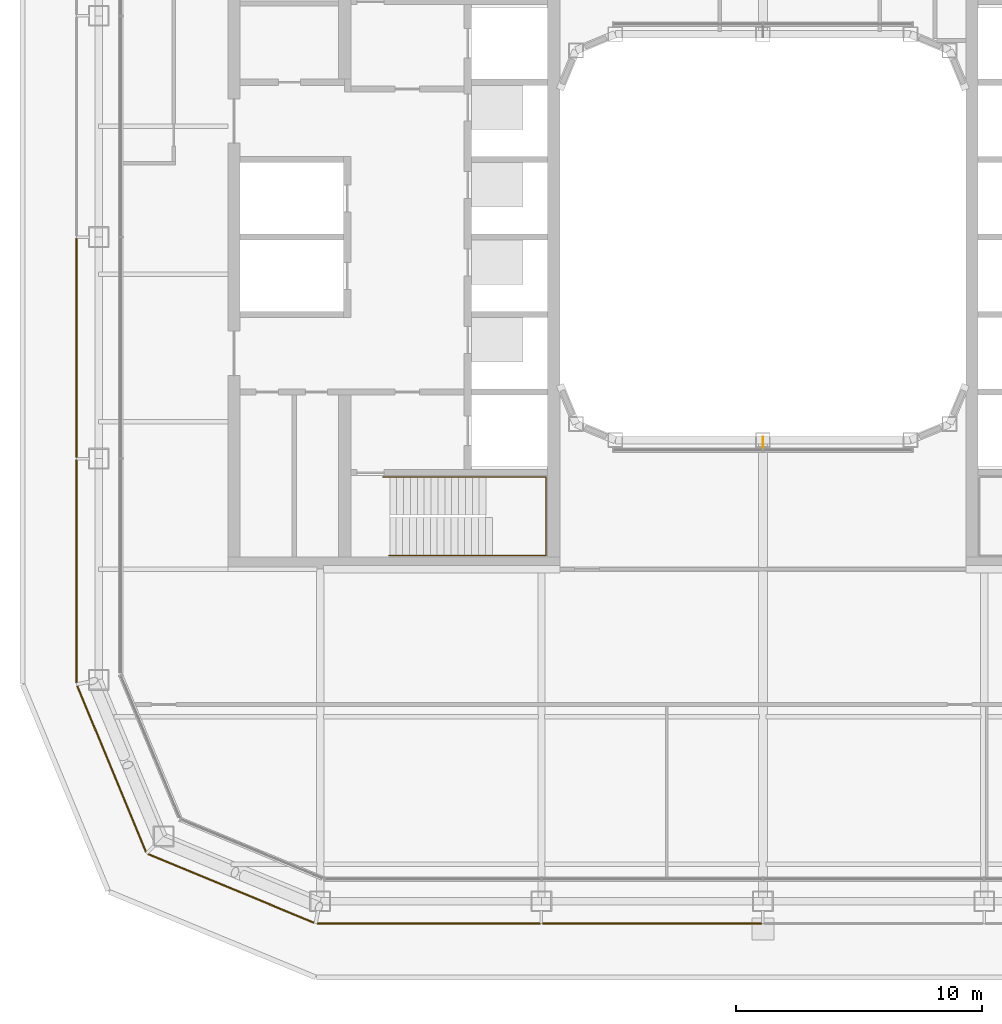
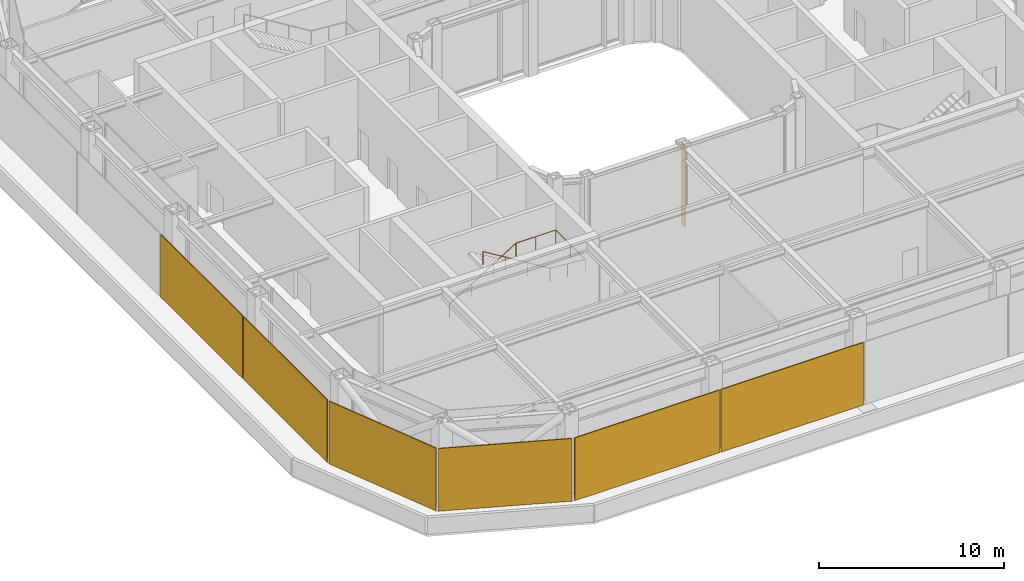
# One storey, part 15 of 19: 6 coverings, 1 railing, 1 shading device.
"""IFC4 building model written with IfcOpenShell, lengths in metres."""

from ifc_helpers import new_model, si_unit, direction, frame, origin, origin_2d, place, context, subcontext, project, spatial, rectangle, circle, extrude, material, layer, layer_set, type_object, element, save


model = new_model("IFC4")

# Units and contexts
model_context = context("Model", 3, precision=1e-05, world=origin(), true_north=direction((0.0, 1.0)))
body_context = subcontext(model_context, "Body", "Model", "MODEL_VIEW")
ifc_project = project(units=[si_unit("LENGTHUNIT", "METRE"), si_unit("AREAUNIT", "SQUARE_METRE"), si_unit("VOLUMEUNIT", "CUBIC_METRE"), si_unit("PLANEANGLEUNIT", "RADIAN"), si_unit("MASSUNIT", "GRAM", prefix="KILO")], contexts=[model_context])

# Site, building, storey
site_placement = place(None, origin())
site = spatial("IfcSite", under=ifc_project, at=site_placement, CompositionType="ELEMENT")
building_placement = place(site_placement, origin())
building = spatial("IfcBuilding", under=site, at=building_placement, Name="Siwar Civic Tower", CompositionType="ELEMENT")
storey_placement = place(building_placement, frame((0.0, 0.0, 187.199951171875)))
storey = spatial("IfcBuildingStorey", under=building, at=storey_placement, Name="L40", CompositionType="ELEMENT", Elevation=187.199951171875)

# Railing
ifc_material_1 = material(Name="Stainless steel", Category="steel")
railing_type = type_object("IfcRailingType", Name="CORE-STAIR-HANDRAIL", PredefinedType="HANDRAIL", material=ifc_material_1)
railing_placement = place(storey_placement, frame((-15.449951171875, -9.758056640625, 0.171875)))
element("IfcRailing", 1, at=railing_placement, inside=storey, type_object=railing_type, Name="Stair handrail ST2", PredefinedType="HANDRAIL", context=body_context, shape_type="SweptSolid", body=[
    extrude(circle(Radius=0.02001953125, at=origin_2d()), frame((0.0, 0.0, 0.8798828125), z_axis=(0.849426996612, 0.0, 0.527706146854), x_axis=(0.0, 1.0, 0.0)), (0.0, 0.0, 1.0), 4.885498046875),
    extrude(circle(Radius=0.02001953125, at=origin_2d()), frame((4.14990234375, 0.0, 3.4580078125), z_axis=(1.0, 0.0, 0.0), x_axis=(0.0, 1.0, 0.0)), (0.0, 0.0, 1.0), 2.491943359375),
    extrude(circle(Radius=0.02001953125, at=origin_2d()), frame((6.641845703125, 0.0, 3.4580078125), z_axis=(0.0, -1.0, 0.0), x_axis=(1.0, 0.0, 0.0)), (0.0, 0.0, 1.0), 3.183837890625),
    extrude(circle(Radius=0.02001953125, at=origin_2d()), frame((6.641845703125, -3.183837890625, 3.4580078125), z_axis=(-0.996939735461, 0.0, 0.078173933367), x_axis=(0.0, -1.0, 0.0)), (0.0, 0.0, 1.0), 2.19873046875),
    extrude(circle(Radius=0.02001953125, at=origin_2d()), frame((4.449951171875, -3.183837890625, 3.6298828125), z_axis=(-0.852242915053, 0.0, 0.523146264196), x_axis=(0.0, -1.0, 0.0)), (0.0, 0.0, 1.0), 4.92822265625),
    extrude(circle(Radius=0.02001953125, at=origin_2d()), origin(), (0.0, 0.0, 1.0), 0.85986328125),
    extrude(circle(Radius=0.02001953125, at=origin_2d()), frame((1.38330078125, 0.0, 0.859375)), (0.0, 0.0, 1.0), 0.85986328125),
    extrude(circle(Radius=0.02001953125, at=origin_2d()), frame((2.7666015625, 0.0, 1.71875)), (0.0, 0.0, 1.0), 0.85986328125),
    extrude(circle(Radius=0.02001953125, at=origin_2d()), frame((4.14990234375, 0.0, 2.578125)), (0.0, 0.0, 1.0), 0.85986328125),
    extrude(circle(Radius=0.02001953125, at=origin_2d()), frame((5.39599609375, 0.0, 2.578125)), (0.0, 0.0, 1.0), 0.85986328125),
    extrude(circle(Radius=0.02001953125, at=origin_2d()), frame((6.641845703125, 0.0, 2.578125)), (0.0, 0.0, 1.0), 0.85986328125),
    extrude(circle(Radius=0.02001953125, at=origin_2d()), frame((6.641845703125, -1.591796875, 2.578125)), (0.0, 0.0, 1.0), 0.85986328125),
    extrude(circle(Radius=0.02001953125, at=origin_2d()), frame((6.641845703125, -3.183837890625, 2.578125)), (0.0, 0.0, 1.0), 0.85986328125),
    extrude(circle(Radius=0.02001953125, at=origin_2d()), frame((5.5458984375, -3.183837890625, 2.6640625)), (0.0, 0.0, 1.0), 0.85986328125),
    extrude(circle(Radius=0.02001953125, at=origin_2d()), frame((4.449951171875, -3.183837890625, 2.75)), (0.0, 0.0, 1.0), 0.85986328125),
    extrude(circle(Radius=0.02001953125, at=origin_2d()), frame((3.050048828125, -3.183837890625, 3.609375)), (0.0, 0.0, 1.0), 0.85986328125),
    extrude(circle(Radius=0.02001953125, at=origin_2d()), frame((1.64990234375, -3.183837890625, 4.46875)), (0.0, 0.0, 1.0), 0.85986328125),
    extrude(circle(Radius=0.02001953125, at=origin_2d()), frame((0.25, -3.183837890625, 5.328125)), (0.0, 0.0, 1.0), 0.85986328125),
])

# Shading device
ifc_material_2 = material(Name="Aluminium 6063-T6", Category="aluminium")
ifc_layer_1 = layer(ifc_material_2, 0.02001953125)
ifc_layer_set_1 = layer_set([ifc_layer_1], Name="Aluminium 6063-T6")
shading_device_type = type_object("IfcShadingDeviceType", Name="ENV-FIN", PredefinedType="JALOUSIE", material=ifc_layer_set_1)
shading_device_placement = place(storey_placement, frame((0.0, -8.344970703125, 0.0), z_axis=(0.0, 0.0, 1.0), x_axis=(1.0, 0.0, 0.0)))
element("IfcShadingDevice", 2, at=shading_device_placement, inside=storey, type_object=shading_device_type, Name="SUNSHADE fin WS 1", PredefinedType="JALOUSIE", context=body_context, shape_type="SweptSolid", body=[
    extrude(rectangle(XDim=0.02001953125, YDim=0.449951171875, at=origin_2d()), origin(), (0.0, 0.0, 1.0), 5.35009765625),
])

# Coverings
ifc_material_3 = material(Name="Perforated aluminium cassette, pale metal", Category="aluminium")
ifc_layer_2 = layer(ifc_material_3, 0.050048828125)
ifc_layer_set_2 = layer_set([ifc_layer_2], Name="Perforated aluminium cassette, pale metal")
covering_type_1 = type_object("IfcCoveringType", Name="ENV-OUTER SKIN OS-3", PredefinedType="CLADDING", material=ifc_layer_set_2)
covering_1_placement = place(storey_placement, frame((-27.89990234375, -4.5, 0.0), z_axis=(0.0, 0.0, 1.0), x_axis=(0.0, -1.0, 0.0)))
element("IfcCovering", 3, at=covering_1_placement, inside=storey, type_object=covering_type_1, Name="OUTER SKIN OS-3 W 3", PredefinedType="CLADDING", context=body_context, shape_type="SweptSolid", body=[
    extrude(rectangle(XDim=8.89990234375, YDim=0.050048828125, at=origin_2d()), origin(), (0.0, 0.0, 1.0), 4.14990234375),
])
covering_2_placement = place(storey_placement, frame((-27.89990234375, -13.57958984375, 0.0), z_axis=(0.0, 0.0, 1.0), x_axis=(0.0, -1.0, 0.0)))
element("IfcCovering", 4, at=covering_2_placement, inside=storey, type_object=covering_type_1, Name="OUTER SKIN OS-3 W 4", PredefinedType="CLADDING", context=body_context, shape_type="SweptSolid", body=[
    extrude(rectangle(XDim=9.05908203125, YDim=0.050048828125, at=origin_2d()), origin(), (0.0, 0.0, 1.0), 4.14990234375),
])
ifc_material_4 = material(Name="Perforated aluminium cassette, pale metal", Category="aluminium")
ifc_layer_3 = layer(ifc_material_4, 0.054931640625)
ifc_layer_set_3 = layer_set([ifc_layer_3], Name="Perforated aluminium cassette, pale metal")
covering_type_2 = type_object("IfcCoveringType", Name="ENV-OUTER SKIN OS-4", PredefinedType="CLADDING", material=ifc_layer_set_3)
covering_3_placement = place(storey_placement, frame((-13.57958984375, -27.89990234375, 0.0), z_axis=(0.0, 0.0, 1.0), x_axis=(1.0, 0.0, 0.0)))
element("IfcCovering", 5, at=covering_3_placement, inside=storey, type_object=covering_type_2, Name="OUTER SKIN OS-4 S 1", PredefinedType="CLADDING", context=body_context, shape_type="SweptSolid", body=[
    extrude(rectangle(XDim=9.05908203125, YDim=0.054931640625, at=origin_2d()), origin(), (0.0, 0.0, 1.0), 4.14990234375),
])
covering_4_placement = place(storey_placement, frame((-4.5, -27.89990234375, 0.0), z_axis=(0.0, 0.0, 1.0), x_axis=(1.0, 0.0, 0.0)))
element("IfcCovering", 6, at=covering_4_placement, inside=storey, type_object=covering_type_2, Name="OUTER SKIN OS-4 S 2", PredefinedType="CLADDING", context=body_context, shape_type="SweptSolid", body=[
    extrude(rectangle(XDim=8.89990234375, YDim=0.054931640625, at=origin_2d()), origin(), (0.0, 0.0, 1.0), 4.14990234375),
])
for number, where, z_axis, x_axis, name in (
    (7, (-26.476318359375, -21.615966796875, 0.0), (0.0, 0.0, 1.0), (0.382683432365, -0.923879532511, 0.0), "OUTER SKIN OS-4 SW1 1"),
    (8, (-21.615966796875, -26.476318359375, 0.0), (0.0, 0.0, 1.0), (0.923879532511, -0.382683432365, 0.0), "OUTER SKIN OS-4 SW2 1"),
):
    element("IfcCovering", number, at=place(storey_placement, frame(where, z_axis=z_axis, x_axis=x_axis)), inside=storey, type_object=covering_type_2, Name=name, PredefinedType="CLADDING", context=body_context, shape_type="SweptSolid", body=[
        extrude(rectangle(XDim=7.300048828125, YDim=0.054931640625, at=origin_2d()), origin(), (0.0, 0.0, 1.0), 4.14990234375),
    ])

save(model, "model.ifc")
